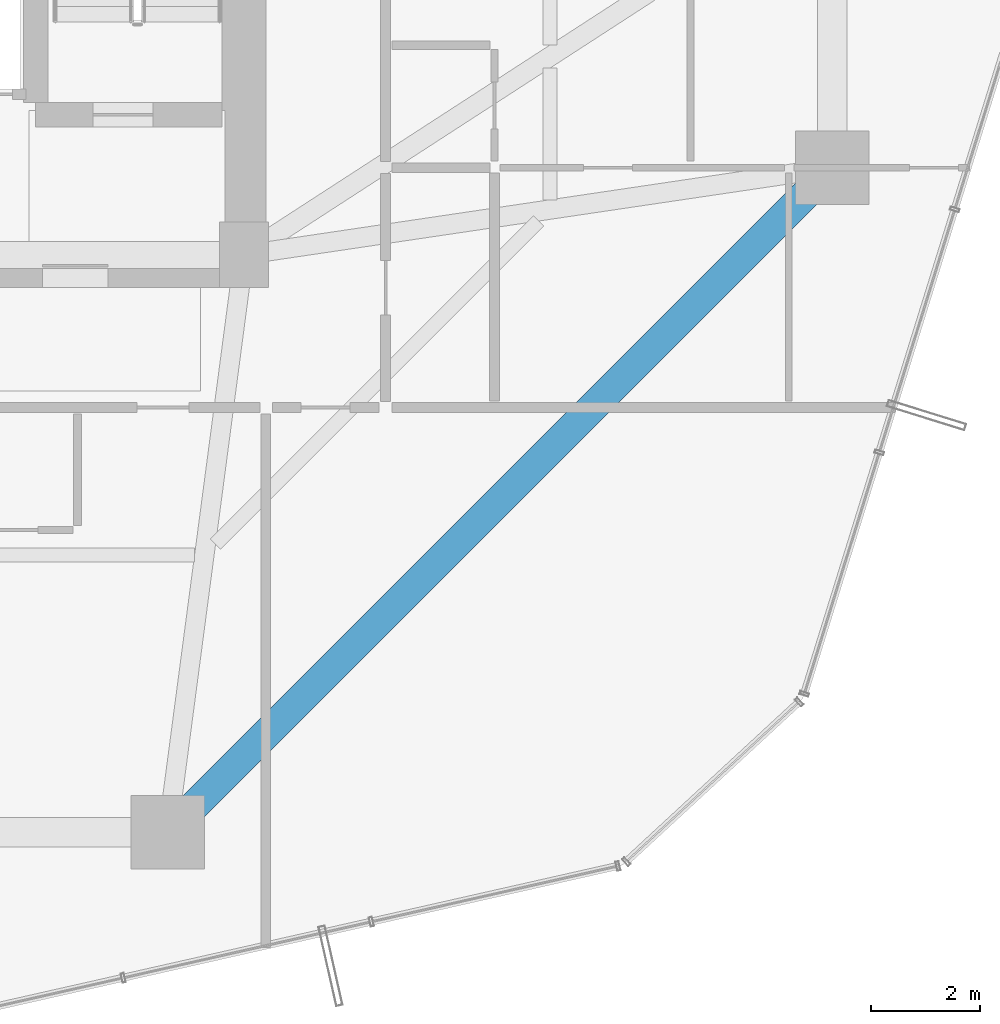
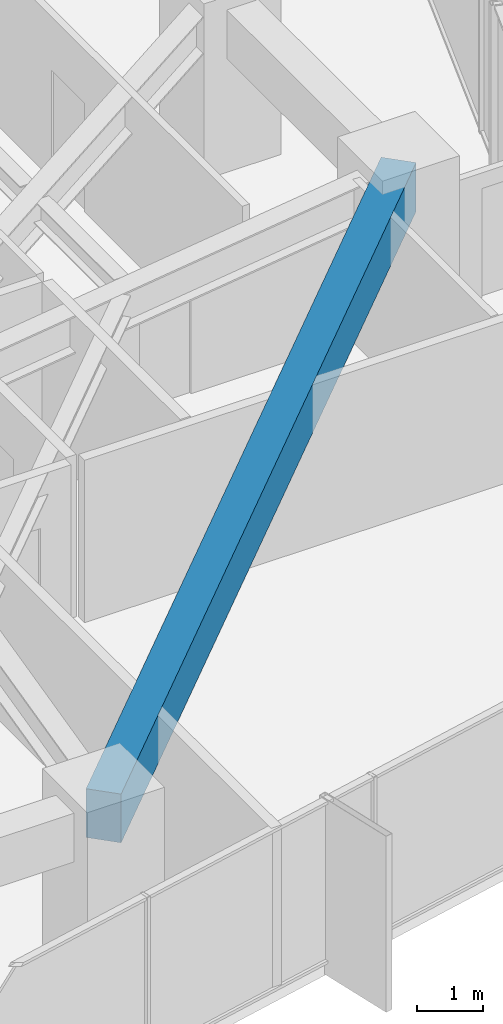
# One storey, part 15 of 39: 1 beam.
"""IFC4 building model written with IfcOpenShell, lengths in metres."""

from ifc_helpers import new_model, si_unit, direction, frame, origin, origin_2d, place, context, subcontext, project, spatial, rectangle, extrude, material, material_profile, profile_set, type_object, element, save


model = new_model("IFC4")

# Units and contexts
model_context = context("Model", 3, precision=1e-05, world=origin(), true_north=direction((0.0, 1.0)))
body_context = subcontext(model_context, "Body", "Model", "MODEL_VIEW")
ifc_project = project(units=[si_unit("LENGTHUNIT", "METRE"), si_unit("AREAUNIT", "SQUARE_METRE"), si_unit("VOLUMEUNIT", "CUBIC_METRE"), si_unit("PLANEANGLEUNIT", "RADIAN"), si_unit("MASSUNIT", "GRAM", prefix="KILO")], contexts=[model_context])

# Site, building, storey
site_placement = place(None, origin())
site = spatial("IfcSite", under=ifc_project, at=site_placement, CompositionType="ELEMENT")
building_placement = place(site_placement, origin())
building = spatial("IfcBuilding", under=site, at=building_placement, Name="Veraguas Prism Commons", CompositionType="ELEMENT")
storey_placement = place(building_placement, frame((0.0, 0.0, 67.35009765625)))
storey = spatial("IfcBuildingStorey", under=building, at=storey_placement, Name="L18", CompositionType="ELEMENT", Elevation=67.35009765625)

# Beam
ifc_material = material(Name="Concrete C50/60", Category="concrete")
ifc_material_profile = material_profile(ifc_material, rectangle(XDim=0.550048828125, YDim=0.89990234375, at=origin_2d()), Name="RC550X900")
ifc_profile_set = profile_set([ifc_material_profile], Name="Concrete C50/60")
beam_type = type_object("IfcBeamType", Name="Perimeter Spandrel Lower RC 550x900", PredefinedType="SPANDREL", material=ifc_profile_set)
beam_placement = place(storey_placement, frame((29.39990234375, 6.39990234375, 2.5498046875), z_axis=(0.707106781187, 0.707106781187, 0.0), x_axis=(-0.707106781187, 0.707106781187, 0.0)))
element("IfcBeam", 1, at=beam_placement, inside=storey, type_object=beam_type, Name="Perimeter Spandrel Beam L18-SP12", PredefinedType="SPANDREL", context=body_context, shape_type="SweptSolid", body=[
    extrude(rectangle(XDim=0.550048828125, YDim=0.89990234375, at=origin_2d()), origin(), (0.0, 0.0, 1.0), 17.253662109375),
])

save(model, "model.ifc")
